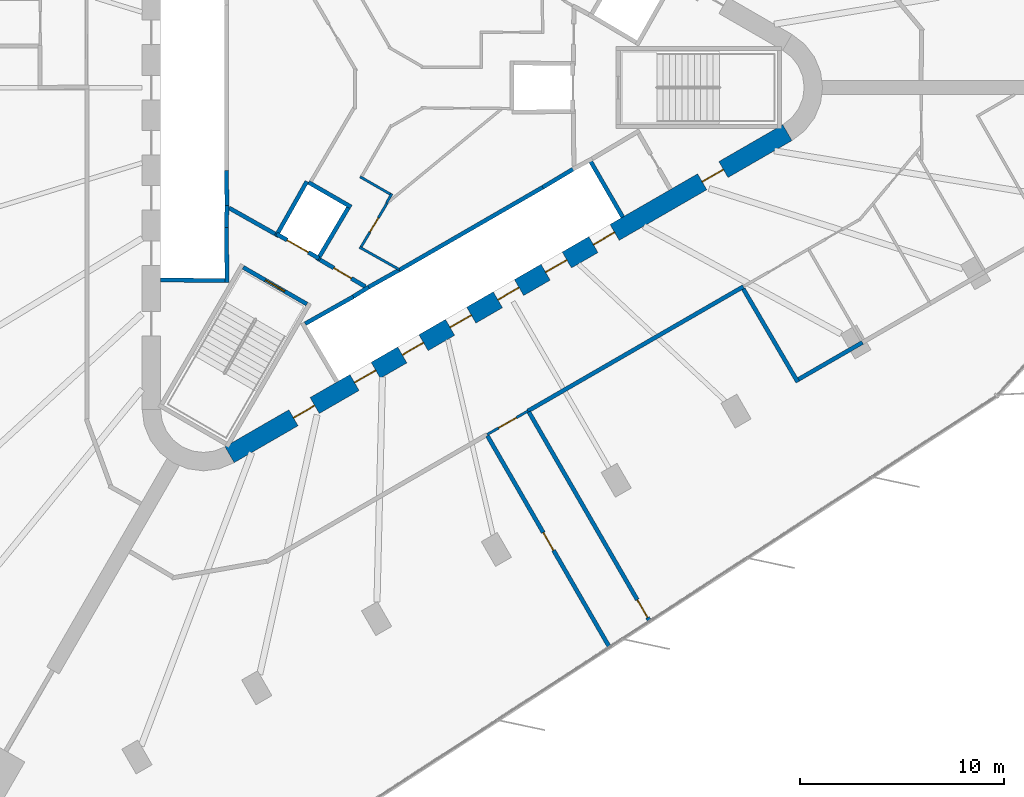
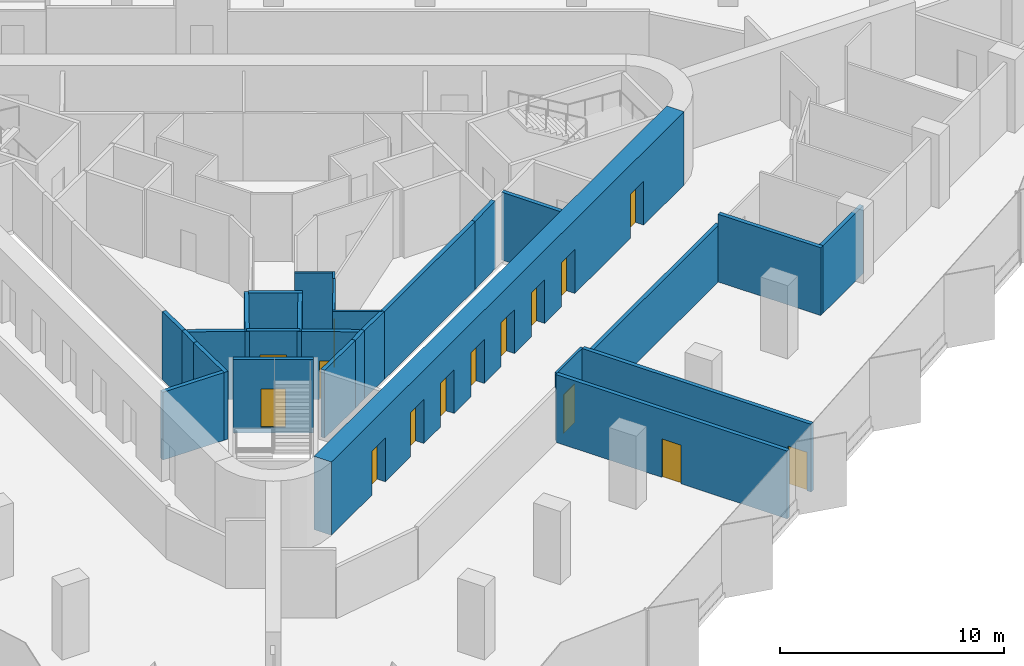
# One storey, part 8 of 14: 28 walls, 15 doors, 15 openings.
"""IFC4 building model written with IfcOpenShell, lengths in metres."""

from ifc_helpers import new_model, si_unit, direction, frame, frame_2d, origin, place, context, subcontext, project, spatial, rectangle, extrude, material, layer, layer_set, type_object, element, fill, save


model = new_model("IFC4")

# Units and contexts
model_context = context("Model", 3, precision=1e-05, world=origin(), true_north=direction((0.0, 1.0)))
body_context = subcontext(model_context, "Body", "Model", "MODEL_VIEW")
ifc_project = project(units=[si_unit("LENGTHUNIT", "METRE"), si_unit("AREAUNIT", "SQUARE_METRE"), si_unit("VOLUMEUNIT", "CUBIC_METRE"), si_unit("PLANEANGLEUNIT", "RADIAN"), si_unit("MASSUNIT", "GRAM", prefix="KILO")], contexts=[model_context])

# Site, building, storey
site_placement = place(None, origin())
site = spatial("IfcSite", under=ifc_project, at=site_placement, CompositionType="ELEMENT")
building_placement = place(site_placement, origin())
building = spatial("IfcBuilding", under=site, at=building_placement, Name="Tanit Gate Tower", CompositionType="ELEMENT")
storey_placement = place(building_placement, frame((0.0, 0.0, 209.199951171875)))
storey = spatial("IfcBuildingStorey", under=building, at=storey_placement, Name="L46", CompositionType="ELEMENT", Elevation=209.199951171875)

# Wall, openings, doors
ifc_material_1 = material(Name="Concrete C50/60", Category="concrete")
ifc_layer_1 = layer(ifc_material_1, 0.89990234375)
ifc_layer_set_1 = layer_set([ifc_layer_1], Name="CORE WALL 900 C50/60")
wall_type_1 = type_object("IfcWallType", Name="CORE WALL 900 C50/60", PredefinedType="SHEAR", material=ifc_layer_set_1)
wall_1_placement = place(storey_placement, frame((-7.824951171875, -17.969970703125, 0.0), z_axis=(0.0, 0.0, 1.0), x_axis=(0.866028369851, 0.499994862586, 0.0)))
wall_1 = element("IfcWall", 1, at=wall_1_placement, inside=storey, type_object=wall_type_1, Name="CORE WALL", PredefinedType="SHEAR", context=body_context, shape_type="SweptSolid", body=[
    extrude(rectangle(XDim=31.523193359375, YDim=0.89990234375, at=frame_2d((15.76171875, 0.0))), origin(), (0.0, 0.0, 1.0), 4.0),
])
opening_1_placement = place(wall_1_placement, frame((7.061767578125, 0.0, 0.0)))
opening_1 = element("IfcOpeningElement", 2, at=opening_1_placement, cuts=wall_1, Name="Opening LDSX1-S12", PredefinedType="OPENING", context=body_context, shape_type="SweptSolid", body=[
    extrude(rectangle(XDim=1.199951171875, YDim=2.39990234375, at=frame_2d((0.60009765625, 1.199951171875))), frame((0.0, 0.4599609375, 0.0), z_axis=(0.0, -1.0, 0.0), x_axis=(1.0, 0.0, 0.0)), (0.0, 0.0, 1.0), 0.919921875),
])
opening_2_placement = place(wall_1_placement, frame((9.76171875, 0.0, 0.0)))
opening_2 = element("IfcOpeningElement", 3, at=opening_2_placement, cuts=wall_1, Name="Opening LDSX2-S12", PredefinedType="OPENING", context=body_context, shape_type="SweptSolid", body=[
    extrude(rectangle(XDim=1.199951171875, YDim=2.39990234375, at=frame_2d((0.60009765625, 1.199951171875))), frame((0.0, 0.4599609375, 0.0), z_axis=(0.0, -1.0, 0.0), x_axis=(1.0, 0.0, 0.0)), (0.0, 0.0, 1.0), 0.919921875),
])
opening_3_placement = place(wall_1_placement, frame((12.461669921875, 0.0, 0.0)))
opening_3 = element("IfcOpeningElement", 4, at=opening_3_placement, cuts=wall_1, Name="Opening LDSX3-S12", PredefinedType="OPENING", context=body_context, shape_type="SweptSolid", body=[
    extrude(rectangle(XDim=1.199951171875, YDim=2.39990234375, at=frame_2d((0.60009765625, 1.199951171875))), frame((0.0, 0.4599609375, 0.0), z_axis=(0.0, -1.0, 0.0), x_axis=(1.0, 0.0, 0.0)), (0.0, 0.0, 1.0), 0.919921875),
])
opening_4_placement = place(wall_1_placement, frame((15.16162109375, 0.0, 0.0)))
opening_4 = element("IfcOpeningElement", 5, at=opening_4_placement, cuts=wall_1, Name="Opening LDSX4-S12", PredefinedType="OPENING", context=body_context, shape_type="SweptSolid", body=[
    extrude(rectangle(XDim=1.199951171875, YDim=2.39990234375, at=frame_2d((0.60009765625, 1.199951171875))), frame((0.0, 0.4599609375, 0.0), z_axis=(0.0, -1.0, 0.0), x_axis=(1.0, 0.0, 0.0)), (0.0, 0.0, 1.0), 0.919921875),
])
opening_5_placement = place(wall_1_placement, frame((17.861572265625, 0.0, 0.0)))
opening_5 = element("IfcOpeningElement", 6, at=opening_5_placement, cuts=wall_1, Name="Opening LDSV1-S12", PredefinedType="OPENING", context=body_context, shape_type="SweptSolid", body=[
    extrude(rectangle(XDim=1.199951171875, YDim=2.39990234375, at=frame_2d((0.60009765625, 1.199951171875))), frame((0.0, 0.4599609375, 0.0), z_axis=(0.0, -1.0, 0.0), x_axis=(1.0, 0.0, 0.0)), (0.0, 0.0, 1.0), 0.919921875),
])
opening_6_placement = place(wall_1_placement, frame((20.561767578125, 0.0, 0.0)))
opening_6 = element("IfcOpeningElement", 7, at=opening_6_placement, cuts=wall_1, Name="Opening LDSV2-S12", PredefinedType="OPENING", context=body_context, shape_type="SweptSolid", body=[
    extrude(rectangle(XDim=1.199951171875, YDim=2.39990234375, at=frame_2d((0.60009765625, 1.199951171875))), frame((0.0, 0.4599609375, 0.0), z_axis=(0.0, -1.0, 0.0), x_axis=(1.0, 0.0, 0.0)), (0.0, 0.0, 1.0), 0.919921875),
])
opening_7_placement = place(wall_1_placement, frame((26.711669921875, 0.0, 0.0)))
opening_7 = element("IfcOpeningElement", 8, at=opening_7_placement, cuts=wall_1, Name="Opening F12-S12-S1", PredefinedType="OPENING", context=body_context, shape_type="SweptSolid", body=[
    extrude(rectangle(XDim=1.199951171875, YDim=2.39990234375, at=frame_2d((0.60009765625, 1.199951171875))), frame((0.0, 0.4599609375, 0.0), z_axis=(0.0, -1.0, 0.0), x_axis=(1.0, 0.0, 0.0)), (0.0, 0.0, 1.0), 0.919921875),
])
opening_8_placement = place(wall_1_placement, frame((3.611572265625, 0.0, 0.0)))
opening_8 = element("IfcOpeningElement", 9, at=opening_8_placement, cuts=wall_1, Name="Opening F12-S12-FL3", PredefinedType="OPENING", context=body_context, shape_type="SweptSolid", body=[
    extrude(rectangle(XDim=1.199951171875, YDim=2.39990234375, at=frame_2d((0.60009765625, 1.199951171875))), frame((0.0, 0.4599609375, 0.0), z_axis=(0.0, -1.0, 0.0), x_axis=(1.0, 0.0, 0.0)), (0.0, 0.0, 1.0), 0.919921875),
])
ifc_material_2 = material(Name="Fire-rated steel door leaf", Category="steel")
door_type_1 = type_object("IfcDoorType", Name="INT-DOOR-FIRE-LOBBY-1200", OperationType="NOTDEFINED", PredefinedType="USERDEFINED", material=ifc_material_2)
door_1_placement = place(opening_7_placement, origin())
door_1 = element("IfcDoor", 10, at=door_1_placement, inside=storey, type_object=door_type_1, Name="Door F12-S12-S1", ObjectType="FIRE DOOR", OperationType="SINGLE_SWING_LEFT", OverallHeight=2.39990234375, OverallWidth=1.199951171875, PredefinedType="USERDEFINED", context=body_context, shape_type="SweptSolid", body=[
    extrude(rectangle(XDim=1.199951171875, YDim=2.39990234375, at=frame_2d((0.60009765625, 1.199951171875))), frame((0.0, 0.02490234375, 0.0), z_axis=(0.0, -1.0, 0.0), x_axis=(1.0, 0.0, 0.0)), (0.0, 0.0, 1.0), 0.050048828125),
])
fill(opening_7, door_1)
door_2_placement = place(opening_8_placement, origin())
door_2 = element("IfcDoor", 11, at=door_2_placement, inside=storey, type_object=door_type_1, Name="Door F12-S12-FL3", ObjectType="FIRE DOOR", OperationType="SINGLE_SWING_RIGHT", OverallHeight=2.39990234375, OverallWidth=1.199951171875, PredefinedType="USERDEFINED", context=body_context, shape_type="SweptSolid", body=[
    extrude(rectangle(XDim=1.199951171875, YDim=2.39990234375, at=frame_2d((0.60009765625, 1.199951171875))), frame((0.0, 0.02490234375, 0.0), z_axis=(0.0, -1.0, 0.0), x_axis=(1.0, 0.0, 0.0)), (0.0, 0.0, 1.0), 0.050048828125),
])
fill(opening_8, door_2)
ifc_material_3 = material(Name="Stainless steel sliding door leaf", Category="steel")
door_type_2 = type_object("IfcDoorType", Name="INT-DOOR-LANDING-1200", OperationType="NOTDEFINED", PredefinedType="USERDEFINED", material=ifc_material_3)
door_3_placement = place(opening_1_placement, origin())
door_3 = element("IfcDoor", 12, at=door_3_placement, inside=storey, type_object=door_type_2, Name="Door LDSX1-S12", ObjectType="LANDING DOOR", OperationType="SLIDING_TO_LEFT", OverallHeight=2.39990234375, OverallWidth=1.199951171875, PredefinedType="USERDEFINED", context=body_context, shape_type="SweptSolid", body=[
    extrude(rectangle(XDim=1.199951171875, YDim=2.39990234375, at=frame_2d((0.60009765625, 1.199951171875))), frame((0.0, 0.02490234375, 0.0), z_axis=(0.0, -1.0, 0.0), x_axis=(1.0, 0.0, 0.0)), (0.0, 0.0, 1.0), 0.050048828125),
])
fill(opening_1, door_3)
door_4_placement = place(opening_2_placement, origin())
door_4 = element("IfcDoor", 13, at=door_4_placement, inside=storey, type_object=door_type_2, Name="Door LDSX2-S12", ObjectType="LANDING DOOR", OperationType="SLIDING_TO_LEFT", OverallHeight=2.39990234375, OverallWidth=1.199951171875, PredefinedType="USERDEFINED", context=body_context, shape_type="SweptSolid", body=[
    extrude(rectangle(XDim=1.199951171875, YDim=2.39990234375, at=frame_2d((0.60009765625, 1.199951171875))), frame((0.0, 0.02490234375, 0.0), z_axis=(0.0, -1.0, 0.0), x_axis=(1.0, 0.0, 0.0)), (0.0, 0.0, 1.0), 0.050048828125),
])
fill(opening_2, door_4)
door_5_placement = place(opening_3_placement, origin())
door_5 = element("IfcDoor", 14, at=door_5_placement, inside=storey, type_object=door_type_2, Name="Door LDSX3-S12", ObjectType="LANDING DOOR", OperationType="SLIDING_TO_LEFT", OverallHeight=2.39990234375, OverallWidth=1.199951171875, PredefinedType="USERDEFINED", context=body_context, shape_type="SweptSolid", body=[
    extrude(rectangle(XDim=1.199951171875, YDim=2.39990234375, at=frame_2d((0.60009765625, 1.199951171875))), frame((0.0, 0.02490234375, 0.0), z_axis=(0.0, -1.0, 0.0), x_axis=(1.0, 0.0, 0.0)), (0.0, 0.0, 1.0), 0.050048828125),
])
fill(opening_3, door_5)
door_6_placement = place(opening_4_placement, origin())
door_6 = element("IfcDoor", 15, at=door_6_placement, inside=storey, type_object=door_type_2, Name="Door LDSX4-S12", ObjectType="LANDING DOOR", OperationType="SLIDING_TO_LEFT", OverallHeight=2.39990234375, OverallWidth=1.199951171875, PredefinedType="USERDEFINED", context=body_context, shape_type="SweptSolid", body=[
    extrude(rectangle(XDim=1.199951171875, YDim=2.39990234375, at=frame_2d((0.60009765625, 1.199951171875))), frame((0.0, 0.02490234375, 0.0), z_axis=(0.0, -1.0, 0.0), x_axis=(1.0, 0.0, 0.0)), (0.0, 0.0, 1.0), 0.050048828125),
])
fill(opening_4, door_6)
door_7_placement = place(opening_5_placement, origin())
door_7 = element("IfcDoor", 16, at=door_7_placement, inside=storey, type_object=door_type_2, Name="Door LDSV1-S12", ObjectType="LANDING DOOR", OperationType="SLIDING_TO_LEFT", OverallHeight=2.39990234375, OverallWidth=1.199951171875, PredefinedType="USERDEFINED", context=body_context, shape_type="SweptSolid", body=[
    extrude(rectangle(XDim=1.199951171875, YDim=2.39990234375, at=frame_2d((0.60009765625, 1.199951171875))), frame((0.0, 0.02490234375, 0.0), z_axis=(0.0, -1.0, 0.0), x_axis=(1.0, 0.0, 0.0)), (0.0, 0.0, 1.0), 0.050048828125),
])
fill(opening_5, door_7)
door_8_placement = place(opening_6_placement, origin())
door_8 = element("IfcDoor", 17, at=door_8_placement, inside=storey, type_object=door_type_2, Name="Door LDSV2-S12", ObjectType="LANDING DOOR", OperationType="SLIDING_TO_LEFT", OverallHeight=2.39990234375, OverallWidth=1.199951171875, PredefinedType="USERDEFINED", context=body_context, shape_type="SweptSolid", body=[
    extrude(rectangle(XDim=1.199951171875, YDim=2.39990234375, at=frame_2d((0.60009765625, 1.199951171875))), frame((0.0, 0.02490234375, 0.0), z_axis=(0.0, -1.0, 0.0), x_axis=(1.0, 0.0, 0.0)), (0.0, 0.0, 1.0), 0.050048828125),
])
fill(opening_6, door_8)

# Wall
ifc_material_4 = material(Name="Fire-rated gypsum board partition")
ifc_layer_2 = layer(ifc_material_4, 0.199951171875)
ifc_layer_set_2 = layer_set([ifc_layer_2], Name="INT-WALL-COMPARTMENT")
wall_type_2 = type_object("IfcWallType", Name="INT-WALL-COMPARTMENT", PredefinedType="PARTITIONING", material=ifc_layer_set_2)
wall_2_placement = place(storey_placement, frame((-7.84912109375, -5.893798828125, 0.0), z_axis=(0.0, 0.0, 1.0), x_axis=(0.871340486379, -0.490678873396, 0.0)))
element("IfcWall", 18, at=wall_2_placement, inside=storey, type_object=wall_type_2, Name="Wall Compartment W063", PredefinedType="PARTITIONING", context=body_context, shape_type="SweptSolid", body=[
    extrude(rectangle(XDim=2.580810546875, YDim=0.199951171875, at=frame_2d((1.29052734375, 0.0))), origin(), (0.0, 0.0, 1.0), 3.699951171875),
])

# Wall, opening, door
wall_3_placement = place(storey_placement, frame((-3.400634765625, -8.43017578125, 0.0), z_axis=(0.0, 0.0, 1.0), x_axis=(0.860598681535, -0.509283721849, 0.0)))
wall_3 = element("IfcWall", 19, at=wall_3_placement, inside=storey, type_object=wall_type_2, Name="Wall Compartment W064", PredefinedType="PARTITIONING", context=body_context, shape_type="SweptSolid", body=[
    extrude(rectangle(XDim=2.5810546875, YDim=0.199951171875, at=frame_2d((1.29052734375, 0.0))), origin(), (0.0, 0.0, 1.0), 3.699951171875),
])
opening_9_placement = place(wall_3_placement, frame((0.79052734375, 0.0, 0.0)))
opening_9 = element("IfcOpeningElement", 20, at=opening_9_placement, cuts=wall_3, Name="Opening F10-S12-08", PredefinedType="OPENING", context=body_context, shape_type="SweptSolid", body=[
    extrude(rectangle(XDim=1.0, YDim=2.10009765625, at=frame_2d((0.5, 1.050048828125))), frame((0.0, 0.10986328125, 0.0), z_axis=(0.0, -1.0, 0.0), x_axis=(1.0, 0.0, 0.0)), (0.0, 0.0, 1.0), 0.219970703125),
])
ifc_material_5 = material(Name="Fire-rated steel door leaf", Category="steel")
door_type_3 = type_object("IfcDoorType", Name="INT-DOOR-FIRE-1000", OperationType="NOTDEFINED", PredefinedType="USERDEFINED", material=ifc_material_5)
door_9_placement = place(opening_9_placement, origin())
door_9 = element("IfcDoor", 21, at=door_9_placement, inside=storey, type_object=door_type_3, Name="Door F10-S12-08", ObjectType="FIRE DOOR", OperationType="SINGLE_SWING_RIGHT", OverallHeight=2.10009765625, OverallWidth=1.0, PredefinedType="USERDEFINED", context=body_context, shape_type="SweptSolid", body=[
    extrude(rectangle(XDim=1.0, YDim=2.10009765625, at=frame_2d((0.5, 1.050048828125))), frame((0.0, 0.02490234375, 0.0), z_axis=(0.0, -1.0, 0.0), x_axis=(1.0, 0.0, 0.0)), (0.0, 0.0, 1.0), 0.050048828125),
])
fill(opening_9, door_9)

# Wall
wall_4_placement = place(storey_placement, frame((6.774658203125, -15.833984375, 0.0), z_axis=(0.0, 0.0, 1.0), x_axis=(0.86602903513, 0.499993710272, 0.0)))
element("IfcWall", 22, at=wall_4_placement, inside=storey, type_object=wall_type_2, Name="Wall Compartment W110", PredefinedType="PARTITIONING", context=body_context, shape_type="SweptSolid", body=[
    extrude(rectangle(XDim=12.179931640625, YDim=0.199951171875, at=frame_2d((6.08984375, 0.0))), origin(), (0.0, 0.0, 1.0), 3.070068359375),
])

# Wall, opening, door
wall_5_placement = place(storey_placement, frame((12.731201171875, -26.111083984375, 0.0), z_axis=(0.0, 0.0, 1.0), x_axis=(-0.499996044039, 0.866027687748, 0.0)))
wall_5 = element("IfcWall", 23, at=wall_5_placement, inside=storey, type_object=wall_type_2, Name="Wall Compartment W136", PredefinedType="PARTITIONING", context=body_context, shape_type="SweptSolid", body=[
    extrude(rectangle(XDim=11.818359375, YDim=0.199951171875, at=frame_2d((5.9091796875, 0.0))), origin(), (0.0, 0.0, 1.0), 3.699951171875),
])
opening_10_placement = place(wall_5_placement, frame((0.199951171875, 0.0, 0.0)))
opening_10 = element("IfcOpeningElement", 24, at=opening_10_placement, cuts=wall_5, Name="Opening F10-S12-34", PredefinedType="OPENING", context=body_context, shape_type="SweptSolid", body=[
    extrude(rectangle(XDim=1.0, YDim=2.10009765625, at=frame_2d((0.5, 1.050048828125))), frame((0.0, 0.10986328125, 0.0), z_axis=(0.0, -1.0, 0.0), x_axis=(1.0, 0.0, 0.0)), (0.0, 0.0, 1.0), 0.219970703125),
])
door_10_placement = place(opening_10_placement, origin())
door_10 = element("IfcDoor", 25, at=door_10_placement, inside=storey, type_object=door_type_3, Name="Door F10-S12-34", ObjectType="FIRE DOOR", OperationType="SINGLE_SWING_RIGHT", OverallHeight=2.10009765625, OverallWidth=1.0, PredefinedType="USERDEFINED", context=body_context, shape_type="SweptSolid", body=[
    extrude(rectangle(XDim=1.0, YDim=2.10009765625, at=frame_2d((0.5, 1.050048828125))), frame((0.0, 0.02490234375, 0.0), z_axis=(0.0, -1.0, 0.0), x_axis=(1.0, 0.0, 0.0)), (0.0, 0.0, 1.0), 0.050048828125),
])
fill(opening_10, door_10)

wall_6_placement = place(storey_placement, frame((4.79541015625, -17.0458984375, 0.0), z_axis=(0.0, 0.0, 1.0), x_axis=(0.500005050573, -0.866022487815, 0.0)))
wall_6 = element("IfcWall", 26, at=wall_6_placement, inside=storey, type_object=wall_type_2, Name="Wall Compartment W137", PredefinedType="PARTITIONING", context=body_context, shape_type="SweptSolid", body=[
    extrude(rectangle(XDim=11.9404296875, YDim=0.199951171875, at=frame_2d((5.97021484375, 0.0))), origin(), (0.0, 0.0, 1.0), 3.699951171875),
])
opening_11_placement = place(wall_6_placement, frame((5.47021484375, 0.0, 0.0)))
opening_11 = element("IfcOpeningElement", 27, at=opening_11_placement, cuts=wall_6, Name="Opening F10-S12-35", PredefinedType="OPENING", context=body_context, shape_type="SweptSolid", body=[
    extrude(rectangle(XDim=1.0, YDim=2.10009765625, at=frame_2d((0.5, 1.050048828125))), frame((0.0, 0.10986328125, 0.0), z_axis=(0.0, -1.0, 0.0), x_axis=(1.0, 0.0, 0.0)), (0.0, 0.0, 1.0), 0.219970703125),
])
door_11_placement = place(opening_11_placement, origin())
door_11 = element("IfcDoor", 28, at=door_11_placement, inside=storey, type_object=door_type_3, Name="Door F10-S12-35", ObjectType="FIRE DOOR", OperationType="SINGLE_SWING_LEFT", OverallHeight=2.10009765625, OverallWidth=1.0, PredefinedType="USERDEFINED", context=body_context, shape_type="SweptSolid", body=[
    extrude(rectangle(XDim=1.0, YDim=2.10009765625, at=frame_2d((0.5, 1.050048828125))), frame((0.0, 0.02490234375, 0.0), z_axis=(0.0, -1.0, 0.0), x_axis=(1.0, 0.0, 0.0)), (0.0, 0.0, 1.0), 0.050048828125),
])
fill(opening_11, door_11)

# Walls
wall_7_placement = place(storey_placement, frame((17.3212890625, -9.8603515625, 0.0), z_axis=(0.0, 0.0, 1.0), x_axis=(0.5049171161, -0.863167831809, 0.0)))
element("IfcWall", 29, at=wall_7_placement, inside=storey, type_object=wall_type_2, Name="Wall Compartment W138", PredefinedType="PARTITIONING", context=body_context, shape_type="SweptSolid", body=[
    extrude(rectangle(XDim=5.280029296875, YDim=0.199951171875, at=frame_2d((2.64013671875, 0.0))), origin(), (0.0, 0.0, 1.0), 3.699951171875),
])
wall_8_placement = place(storey_placement, frame((23.148681640625, -12.477294921875, 0.0), z_axis=(0.0, 0.0, 1.0), x_axis=(-0.866015466884, -0.500017210822, 0.0)))
element("IfcWall", 30, at=wall_8_placement, inside=storey, type_object=wall_type_2, Name="Wall Compartment W139", PredefinedType="PARTITIONING", context=body_context, shape_type="SweptSolid", body=[
    extrude(rectangle(XDim=3.608642578125, YDim=0.199951171875, at=frame_2d((1.80419921875, 0.0))), origin(), (0.0, 0.0, 1.0), 3.699951171875),
])
ifc_material_6 = material(Name="Gypsum board partition")
ifc_layer_3 = layer(ifc_material_6, 0.1201171875)
ifc_layer_set_3 = layer_set([ifc_layer_3], Name="INT-WALL-PARTITION")
wall_type_3 = type_object("IfcWallType", Name="INT-WALL-PARTITION", PredefinedType="PARTITIONING", material=ifc_layer_set_3)
wall_9_placement = place(storey_placement, frame((-1.464111328125, -7.81591796875, 0.0), z_axis=(0.0, 0.0, 1.0), x_axis=(0.871880202732, -0.489719217597, 0.0)))
element("IfcWall", 31, at=wall_9_placement, inside=storey, type_object=wall_type_3, Name="Wall Partition W069", PredefinedType="PARTITIONING", context=body_context, shape_type="SweptSolid", body=[
    extrude(rectangle(XDim=2.224365234375, YDim=0.1201171875, at=frame_2d((1.1123046875, 0.0))), origin(), (0.0, 0.0, 1.0), 3.699951171875),
])

# Wall, opening, door
wall_10_placement = place(storey_placement, frame((-0.118896484375, -5.664306640625, 0.0), z_axis=(0.0, 0.0, 1.0), x_axis=(-0.509948384343, -0.860205001907, 0.0)))
wall_10 = element("IfcWall", 32, at=wall_10_placement, inside=storey, type_object=wall_type_3, Name="Wall Partition W070", PredefinedType="PARTITIONING", context=body_context, shape_type="SweptSolid", body=[
    extrude(rectangle(XDim=2.47509765625, YDim=0.1201171875, at=frame_2d((1.237548828125, 0.0))), origin(), (0.0, 0.0, 1.0), 3.699951171875),
])
opening_12_placement = place(wall_10_placement, frame((0.837646484375, 0.0, 0.0)))
opening_12 = element("IfcOpeningElement", 33, at=opening_12_placement, cuts=wall_10, Name="Opening R08-S12-11", PredefinedType="OPENING", context=body_context, shape_type="SweptSolid", body=[
    extrude(rectangle(XDim=0.800048828125, YDim=2.10009765625, at=frame_2d((0.39990234375, 1.050048828125))), frame((0.0, 0.070068359375, 0.0), z_axis=(0.0, -1.0, 0.0), x_axis=(1.0, 0.0, 0.0)), (0.0, 0.0, 1.0), 0.14013671875),
])
ifc_material_7 = material(Name="Timber door leaf", Category="wood")
door_type_4 = type_object("IfcDoorType", Name="INT-DOOR-RISER-800", OperationType="NOTDEFINED", PredefinedType="USERDEFINED", material=ifc_material_7)
door_12_placement = place(opening_12_placement, origin())
door_12 = element("IfcDoor", 34, at=door_12_placement, inside=storey, type_object=door_type_4, Name="Door R08-S12-11", ObjectType="FIRE DOOR", OperationType="SINGLE_SWING_LEFT", OverallHeight=2.10009765625, OverallWidth=0.800048828125, PredefinedType="USERDEFINED", context=body_context, shape_type="SweptSolid", body=[
    extrude(rectangle(XDim=0.800048828125, YDim=2.10009765625, at=frame_2d((0.39990234375, 1.050048828125))), frame((0.0, 0.02490234375, 0.0), z_axis=(0.0, -1.0, 0.0), x_axis=(1.0, 0.0, 0.0)), (0.0, 0.0, 1.0), 0.050048828125),
])
fill(opening_12, door_12)

# Walls
wall_11_placement = place(storey_placement, frame((-0.14404296875, -5.6494140625, 0.0), z_axis=(0.0, 0.0, 1.0), x_axis=(0.499843319224, 0.866115844577, 0.0)))
element("IfcWall", 35, at=wall_11_placement, inside=storey, type_object=wall_type_3, Name="Wall Partition W072", PredefinedType="PARTITIONING", context=body_context, shape_type="SweptSolid", body=[
    extrude(rectangle(XDim=0.524658203125, YDim=0.1201171875, at=frame_2d((0.26220703125, 0.0))), origin(), (0.0, 0.0, 1.0), 3.699951171875),
])
wall_12_placement = place(storey_placement, frame((-1.43603515625, -4.3671875, 0.0), z_axis=(0.0, 0.0, 1.0), x_axis=(0.866087547558, -0.499892348375, 0.0)))
element("IfcWall", 36, at=wall_12_placement, inside=storey, type_object=wall_type_3, Name="Wall Partition W073", PredefinedType="PARTITIONING", context=body_context, shape_type="SweptSolid", body=[
    extrude(rectangle(XDim=1.699951171875, YDim=0.1201171875, at=frame_2d((0.85009765625, 0.0))), origin(), (0.0, 0.0, 1.0), 3.699951171875),
])

# Wall, opening, door
wall_13_placement = place(storey_placement, frame((6.774658203125, -15.833984375, 0.0), z_axis=(0.0, 0.0, 1.0), x_axis=(-0.866007057882, -0.500031774688, 0.0)))
wall_13 = element("IfcWall", 37, at=wall_13_placement, inside=storey, type_object=wall_type_3, Name="Wall Partition W109", PredefinedType="PARTITIONING", context=body_context, shape_type="SweptSolid", body=[
    extrude(rectangle(XDim=2.300048828125, YDim=0.1201171875, at=frame_2d((1.14990234375, 0.0))), origin(), (0.0, 0.0, 1.0), 3.699951171875),
])
opening_13_placement = place(wall_13_placement, frame((0.64990234375, 0.0, 0.0)))
opening_13 = element("IfcOpeningElement", 38, at=opening_13_placement, cuts=wall_13, Name="Opening D10-S12-20", PredefinedType="OPENING", context=body_context, shape_type="SweptSolid", body=[
    extrude(rectangle(XDim=1.0, YDim=2.10009765625, at=frame_2d((0.5, 1.050048828125))), frame((0.0, 0.070068359375, 0.0), z_axis=(0.0, -1.0, 0.0), x_axis=(1.0, 0.0, 0.0)), (0.0, 0.0, 1.0), 0.14013671875),
])
ifc_material_8 = material(Name="Timber door leaf", Category="wood")
door_type_5 = type_object("IfcDoorType", Name="INT-DOOR-SINGLE-1000", OperationType="NOTDEFINED", PredefinedType="NOTDEFINED", material=ifc_material_8)
door_13_placement = place(opening_13_placement, origin())
door_13 = element("IfcDoor", 39, at=door_13_placement, inside=storey, type_object=door_type_5, Name="Door D10-S12-20", OperationType="SINGLE_SWING_RIGHT", OverallHeight=2.10009765625, OverallWidth=1.0, PredefinedType="NOTDEFINED", context=body_context, shape_type="SweptSolid", body=[
    extrude(rectangle(XDim=1.0, YDim=2.10009765625, at=frame_2d((0.5, 1.050048828125))), frame((0.0, 0.02490234375, 0.0), z_axis=(0.0, -1.0, 0.0), x_axis=(1.0, 0.0, 0.0)), (0.0, 0.0, 1.0), 0.050048828125),
])
fill(opening_13, door_13)

# Walls
ifc_material_9 = material(Name="Gypsum shaft wall system")
ifc_layer_4 = layer(ifc_material_9, 0.199951171875)
ifc_layer_set_4 = layer_set([ifc_layer_4], Name="INT-WALL-SHAFT")
wall_type_4 = type_object("IfcWallType", Name="INT-WALL-SHAFT", PredefinedType="PLUMBINGWALL", material=ifc_layer_set_4)
wall_14_placement = place(storey_placement, frame((-7.949951171875, -5.7724609375, 0.0), z_axis=(0.0, 0.0, 1.0), x_axis=(-0.030803413295, -0.999525462272, 0.0)))
element("IfcWall", 40, at=wall_14_placement, inside=storey, type_object=wall_type_4, Name="Wall Shaft W008", PredefinedType="PLUMBINGWALL", context=body_context, shape_type="SweptSolid", body=[
    extrude(rectangle(XDim=1.077880859375, YDim=0.199951171875, at=frame_2d((0.5390625, 0.0))), origin(), (0.0, 0.0, 1.0), 3.699951171875),
])
wall_15_placement = place(storey_placement, frame((-7.97998046875, -4.050048828125, 0.0), z_axis=(0.0, 0.0, 1.0), x_axis=(0.016809909365, -0.999858703491, 0.0)))
element("IfcWall", 41, at=wall_15_placement, inside=storey, type_object=wall_type_4, Name="Wall Shaft W009", PredefinedType="PLUMBINGWALL", context=body_context, shape_type="SweptSolid", body=[
    extrude(rectangle(XDim=1.844482421875, YDim=0.199951171875, at=frame_2d((0.92236328125, 0.0))), origin(), (0.0, 0.0, 1.0), 3.699951171875),
])
wall_16_placement = place(storey_placement, frame((-7.97900390625, -6.85009765625, 0.0), z_axis=(0.0, 0.0, 1.0), x_axis=(0.011121475088, -0.999938154483, 0.0)))
element("IfcWall", 42, at=wall_16_placement, inside=storey, type_object=wall_type_4, Name="Wall Shaft W010", PredefinedType="PLUMBINGWALL", context=body_context, shape_type="SweptSolid", body=[
    extrude(rectangle(XDim=2.7001953125, YDim=0.199951171875, at=frame_2d((1.35009765625, 0.0))), origin(), (0.0, 0.0, 1.0), 3.699951171875),
])
wall_17_placement = place(storey_placement, frame((-8.050048828125, -9.448974609375, 0.0), z_axis=(0.0, 0.0, 1.0), x_axis=(-0.999957467379, 0.009222983926, 0.0)))
element("IfcWall", 43, at=wall_17_placement, inside=storey, type_object=wall_type_4, Name="Wall Shaft W011", PredefinedType="PLUMBINGWALL", context=body_context, shape_type="SweptSolid", body=[
    extrude(rectangle(XDim=3.150146484375, YDim=0.199951171875, at=frame_2d((1.5751953125, 0.0))), origin(), (0.0, 0.0, 1.0), 3.699951171875),
])
wall_18_placement = place(storey_placement, frame((0.482666015625, -8.935791015625, 0.0), z_axis=(0.0, 0.0, 1.0), x_axis=(0.866030989016, 0.499990325971, 0.0)))
element("IfcWall", 44, at=wall_18_placement, inside=storey, type_object=wall_type_4, Name="Wall Shaft W023", PredefinedType="PLUMBINGWALL", context=body_context, shape_type="SweptSolid", body=[
    extrude(rectangle(XDim=8.099853515625, YDim=0.199951171875, at=frame_2d((4.0498046875, 0.0))), origin(), (0.0, 0.0, 1.0), 3.699951171875),
])
wall_19_placement = place(storey_placement, frame((9.794677734375, -3.52490234375, 0.0), z_axis=(0.0, 0.0, 1.0), x_axis=(0.499984717929, -0.866034226713, 0.0)))
element("IfcWall", 45, at=wall_19_placement, inside=storey, type_object=wall_type_4, Name="Wall Shaft W016", PredefinedType="PLUMBINGWALL", context=body_context, shape_type="SweptSolid", body=[
    extrude(rectangle(XDim=3.25, YDim=0.199951171875, at=frame_2d((1.625, 0.0))), origin(), (0.0, 0.0, 1.0), 3.699951171875),
])
wall_20_placement = place(storey_placement, frame((7.497314453125, -4.885986328125, 0.0), z_axis=(0.0, 0.0, 1.0), x_axis=(0.857516281273, 0.51445682749, 0.0)))
element("IfcWall", 46, at=wall_20_placement, inside=storey, type_object=wall_type_4, Name="Wall Shaft W018", PredefinedType="PLUMBINGWALL", context=body_context, shape_type="SweptSolid", body=[
    extrude(rectangle(XDim=1.8447265625, YDim=0.199951171875, at=frame_2d((0.92236328125, 0.0))), origin(), (0.0, 0.0, 1.0), 3.699951171875),
])
wall_21_placement = place(storey_placement, frame((-1.7685546875, -10.23681640625, 0.0), z_axis=(0.0, 0.0, 1.0), x_axis=(-0.871534483978, -0.490334215854, 0.0)))
element("IfcWall", 47, at=wall_21_placement, inside=storey, type_object=wall_type_4, Name="Wall Shaft W020", PredefinedType="PLUMBINGWALL", context=body_context, shape_type="SweptSolid", body=[
    extrude(rectangle(XDim=2.7001953125, YDim=0.199951171875, at=frame_2d((1.35009765625, 0.0))), origin(), (0.0, 0.0, 1.0), 3.699951171875),
])
wall_22_placement = place(storey_placement, frame((-1.02392578125, -9.77099609375, 0.0), z_axis=(0.0, 0.0, 1.0), x_axis=(-0.850348075135, -0.526220629693, 0.0)))
element("IfcWall", 48, at=wall_22_placement, inside=storey, type_object=wall_type_4, Name="Wall Shaft W021", PredefinedType="PLUMBINGWALL", context=body_context, shape_type="SweptSolid", body=[
    extrude(rectangle(XDim=0.878173828125, YDim=0.199951171875, at=frame_2d((0.43896484375, 0.0))), origin(), (0.0, 0.0, 1.0), 3.699951171875),
])
wall_23_placement = place(storey_placement, frame((-1.13037109375, -9.83154296875, 0.0), z_axis=(0.0, 0.0, 1.0), x_axis=(0.871988740738, 0.489525929882, 0.0)))
element("IfcWall", 49, at=wall_23_placement, inside=storey, type_object=wall_type_4, Name="Wall Shaft W022", PredefinedType="PLUMBINGWALL", context=body_context, shape_type="SweptSolid", body=[
    extrude(rectangle(XDim=1.8447265625, YDim=0.199951171875, at=frame_2d((0.92236328125, 0.0))), origin(), (0.0, 0.0, 1.0), 3.699951171875),
])

# Wall, opening, door
wall_24_placement = place(storey_placement, frame((-3.44580078125, -8.3681640625, 0.0), z_axis=(0.0, 0.0, 1.0), x_axis=(-0.866024647952, 0.500001309137, 0.0)))
wall_24 = element("IfcWall", 50, at=wall_24_placement, inside=storey, type_object=wall_type_4, Name="Wall Shaft W045", PredefinedType="PLUMBINGWALL", context=body_context, shape_type="SweptSolid", body=[
    extrude(rectangle(XDim=2.39990234375, YDim=0.199951171875, at=frame_2d((1.199951171875, 0.0))), origin(), (0.0, 0.0, 1.0), 3.699951171875),
])
opening_14_placement = place(wall_24_placement, frame((0.60009765625, 0.0, 0.0)))
opening_14 = element("IfcOpeningElement", 51, at=opening_14_placement, cuts=wall_24, Name="Opening LDFL3-L46", PredefinedType="OPENING", context=body_context, shape_type="SweptSolid", body=[
    extrude(rectangle(XDim=1.199951171875, YDim=2.39990234375, at=frame_2d((0.60009765625, 1.199951171875))), frame((0.0, 0.10986328125, 0.0), z_axis=(0.0, -1.0, 0.0), x_axis=(1.0, 0.0, 0.0)), (0.0, 0.0, 1.0), 0.219970703125),
])
door_14_placement = place(opening_14_placement, origin())
door_14 = element("IfcDoor", 52, at=door_14_placement, inside=storey, type_object=door_type_2, Name="Door LDFL3-L46", ObjectType="LANDING DOOR", OperationType="SLIDING_TO_LEFT", OverallHeight=2.39990234375, OverallWidth=1.199951171875, PredefinedType="USERDEFINED", context=body_context, shape_type="SweptSolid", body=[
    extrude(rectangle(XDim=1.199951171875, YDim=2.39990234375, at=frame_2d((0.60009765625, 1.199951171875))), frame((0.0, 0.02490234375, 0.0), z_axis=(0.0, -1.0, 0.0), x_axis=(1.0, 0.0, 0.0)), (0.0, 0.0, 1.0), 0.050048828125),
])
fill(opening_14, door_14)

# Walls
wall_25_placement = place(storey_placement, frame((-5.5625, -7.29638671875, 0.0), z_axis=(0.0, 0.0, 1.0), x_axis=(0.491322718731, 0.870977603649, 0.0)))
element("IfcWall", 53, at=wall_25_placement, inside=storey, type_object=wall_type_4, Name="Wall Shaft W046", PredefinedType="PLUMBINGWALL", context=body_context, shape_type="SweptSolid", body=[
    extrude(rectangle(XDim=3.10009765625, YDim=0.199951171875, at=frame_2d((1.550048828125, 0.0))), origin(), (0.0, 0.0, 1.0), 3.699951171875),
])
wall_26_placement = place(storey_placement, frame((-3.95654296875, -4.643798828125, 0.0), z_axis=(0.0, 0.0, 1.0), x_axis=(0.865991127953, -0.500059362782, 0.0)))
element("IfcWall", 54, at=wall_26_placement, inside=storey, type_object=wall_type_4, Name="Wall Shaft W047", PredefinedType="PLUMBINGWALL", context=body_context, shape_type="SweptSolid", body=[
    extrude(rectangle(XDim=2.404541015625, YDim=0.199951171875, at=frame_2d((1.2021484375, 0.0))), origin(), (0.0, 0.0, 1.0), 3.699951171875),
])
wall_27_placement = place(storey_placement, frame((-2.01171875, -5.88232421875, 0.0), z_axis=(0.0, 0.0, 1.0), x_axis=(-0.508619639323, -0.860991325447, 0.0)))
element("IfcWall", 55, at=wall_27_placement, inside=storey, type_object=wall_type_4, Name="Wall Shaft W048", PredefinedType="PLUMBINGWALL", context=body_context, shape_type="SweptSolid", body=[
    extrude(rectangle(XDim=3.0, YDim=0.199951171875, at=frame_2d((1.5, 0.0))), origin(), (0.0, 0.0, 1.0), 3.699951171875),
])

# Wall, opening, door
ifc_material_10 = material(Name="Concrete C40/50", Category="concrete")
ifc_layer_5 = layer(ifc_material_10, 0.199951171875)
ifc_layer_set_5 = layer_set([ifc_layer_5], Name="INT-WALL-STAIR")
wall_type_5 = type_object("IfcWallType", Name="INT-WALL-STAIR", PredefinedType="SHEAR", material=ifc_layer_set_5)
wall_28_placement = place(storey_placement, frame((-4.041259765625, -10.599365234375, -0.300048828125), z_axis=(0.0, 0.0, 1.0), x_axis=(-0.866047807691, 0.499961193289, 0.0)))
wall_28 = element("IfcWall", 56, at=wall_28_placement, inside=storey, type_object=wall_type_5, Name="Wall Stair W044", PredefinedType="SHEAR", context=body_context, shape_type="SweptSolid", body=[
    extrude(rectangle(XDim=3.599853515625, YDim=0.199951171875, at=frame_2d((1.7998046875, 0.0))), origin(), (0.0, 0.0, 1.0), 4.0),
])
opening_15_placement = place(wall_28_placement, frame((1.25, 0.0, 0.300048828125)))
opening_15 = element("IfcOpeningElement", 57, at=opening_15_placement, cuts=wall_28, Name="Opening S11-S12-07", PredefinedType="OPENING", context=body_context, shape_type="SweptSolid", body=[
    extrude(rectangle(XDim=1.10009765625, YDim=2.10009765625, at=frame_2d((0.550048828125, 1.050048828125))), frame((0.0, 0.10986328125, 0.0), z_axis=(0.0, -1.0, 0.0), x_axis=(1.0, 0.0, 0.0)), (0.0, 0.0, 1.0), 0.219970703125),
])
ifc_material_11 = material(Name="Timber door leaf", Category="wood")
door_type_6 = type_object("IfcDoorType", Name="INT-DOOR-STAIR-1100", OperationType="NOTDEFINED", PredefinedType="USERDEFINED", material=ifc_material_11)
door_15_placement = place(opening_15_placement, origin())
door_15 = element("IfcDoor", 58, at=door_15_placement, inside=storey, type_object=door_type_6, Name="Door S11-S12-07", ObjectType="FIRE DOOR", OperationType="SINGLE_SWING_LEFT", OverallHeight=2.10009765625, OverallWidth=1.10009765625, PredefinedType="USERDEFINED", context=body_context, shape_type="SweptSolid", body=[
    extrude(rectangle(XDim=1.10009765625, YDim=2.10009765625, at=frame_2d((0.550048828125, 1.050048828125))), frame((0.0, 0.02490234375, 0.0), z_axis=(0.0, -1.0, 0.0), x_axis=(1.0, 0.0, 0.0)), (0.0, 0.0, 1.0), 0.050048828125),
])
fill(opening_15, door_15)

save(model, "model.ifc")
